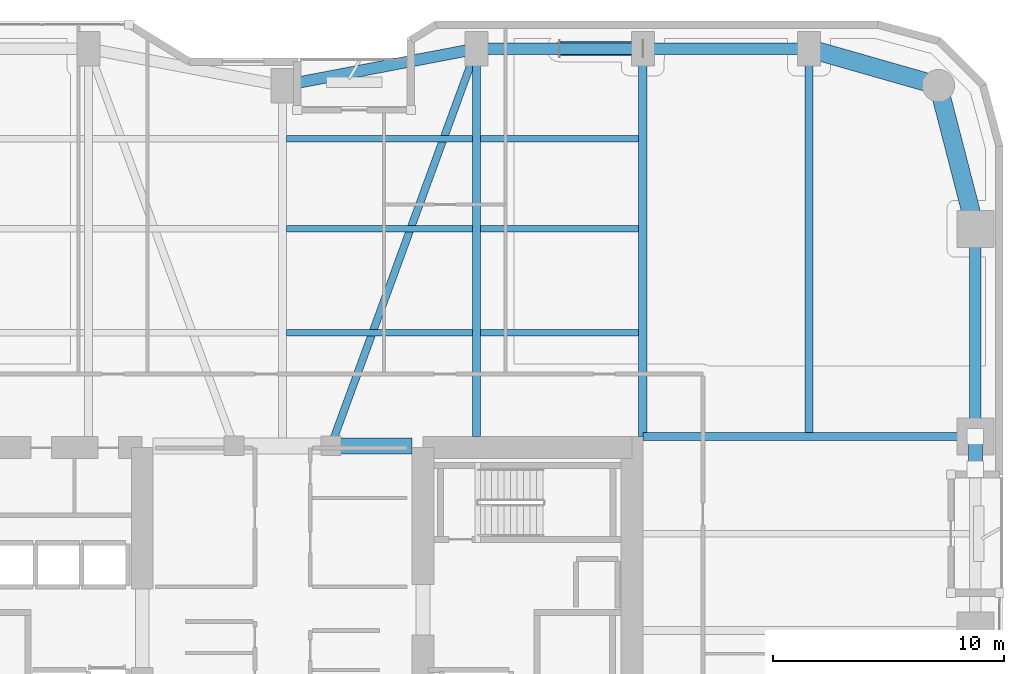
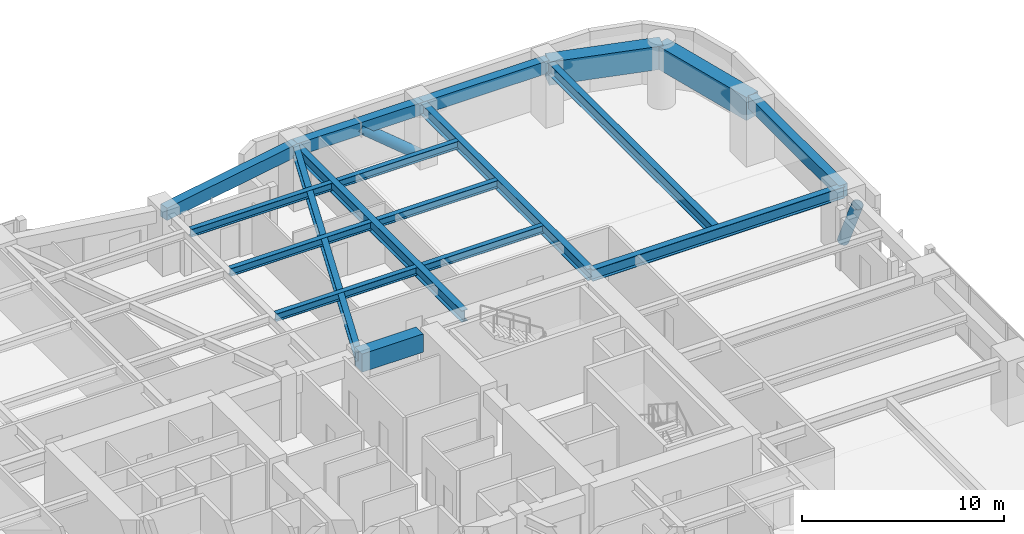
# One storey, part 18 of 29: 18 beams, 2 members.
"""IFC4 building model written with IfcOpenShell, lengths in metres."""

import ifcopenshell
import ifcopenshell.guid

model = None  # the IFC model being written
_history = None  # IfcOwnerHistory: only IFC2X3 demands one
_inside = {}  # id of a spatial element -> (the spatial element, [elements in it])
_under = {}  # id of a project, library or spatial element -> (it, [spatial elements below it])
_declared = {}  # id of a project -> (the project, [libraries it declares])
_typed = {}  # id of a type object -> (the type object, [elements of that type])
_made_of = {}  # id of a material, layer set ... -> (it, [elements and type objects made of it])


def new_model(schema):
    """Start an empty IFC model of exactly this schema.

    Asked for "IFC4X3", IfcOpenShell would pick the latest addendum, in which some entities
    have other attributes; the version numbers below select the first issue.
    IFC2X3 requires an IfcOwnerHistory on every rooted entity: one is made here for all.
    """
    global model, _history
    if schema == "IFC4X3":
        model = ifcopenshell.file(schema_version=(4, 3, 0, 0))
    else:
        model = ifcopenshell.file(schema=schema)
    _inside.clear()
    _under.clear()
    _declared.clear()
    _typed.clear()
    _made_of.clear()
    _history = None
    if model.schema == "IFC2X3":
        org = make("IfcOrganization", Name="unknown")
        user = make(
            "IfcPersonAndOrganization",
            ThePerson=make("IfcPerson", FamilyName="unknown"),
            TheOrganization=org,
        )
        app = make(
            "IfcApplication",
            ApplicationDeveloper=org,
            Version="unknown",
            ApplicationFullName="unknown",
            ApplicationIdentifier="unknown",
        )
        _history = make(
            "IfcOwnerHistory",
            OwningUser=user,
            OwningApplication=app,
            ChangeAction="ADDED",
            CreationDate=0,
        )
    return model


def make(cls, **values):
    """One entity of the class cls with the attributes given. An attribute that is None is left unset."""
    return model.create_entity(
        cls, **{name: value for name, value in values.items() if value is not None}
    )


def rooted(cls, **values):
    """An entity with a GlobalId (a new one), such as an element, a storey or a relation."""
    return make(cls, GlobalId=ifcopenshell.guid.new(), OwnerHistory=_history, **values)


def si_unit(unit_type, name, prefix=None):
    """IfcSIUnit, for example si_unit("LENGTHUNIT", "METRE", prefix="MILLI")."""
    return make("IfcSIUnit", UnitType=unit_type, Prefix=prefix, Name=name)


def assignment(units):
    """IfcUnitAssignment: the units of a project."""
    return None if units is None else make("IfcUnitAssignment", Units=units)


def point(xyz):
    """IfcCartesianPoint."""
    return None if xyz is None else make("IfcCartesianPoint", Coordinates=xyz)


def direction(xyz):
    """IfcDirection."""
    return None if xyz is None else make("IfcDirection", DirectionRatios=xyz)


def frame(location, z_axis=None, x_axis=None):
    """IfcAxis2Placement3D, a coordinate frame: its origin and axes. An axis left out is left unset."""
    return make(
        "IfcAxis2Placement3D",
        Location=point(location),
        Axis=direction(z_axis),
        RefDirection=direction(x_axis),
    )


def frame_2d(location, x_axis=None):
    """IfcAxis2Placement2D, a coordinate frame in the plane: its origin and x axis."""
    return make(
        "IfcAxis2Placement2D", Location=point(location), RefDirection=direction(x_axis)
    )


def origin():
    """The frame at (0, 0, 0) with its axes left unset."""
    return frame((0.0, 0.0, 0.0))


def origin_2d():
    """The frame at (0, 0) in the plane with its x axis left unset."""
    return frame_2d((0.0, 0.0))


def place(relative_to, where):
    """IfcLocalPlacement: puts the frame where relative to a parent placement (None: the world)."""
    return make(
        "IfcLocalPlacement", PlacementRelTo=relative_to, RelativePlacement=where
    )


def context(
    kind, dimensions, precision=None, world=None, true_north=None, identifier=None
):
    """IfcGeometricRepresentationContext, for example the 3D "Model" context."""
    return make(
        "IfcGeometricRepresentationContext",
        ContextIdentifier=identifier,
        ContextType=kind,
        CoordinateSpaceDimension=dimensions,
        Precision=precision,
        WorldCoordinateSystem=world,
        TrueNorth=true_north,
    )


def subcontext(parent, identifier, kind, view, scale=None):
    """IfcGeometricRepresentationSubContext, for example "Body" below "Model"."""
    return make(
        "IfcGeometricRepresentationSubContext",
        ContextIdentifier=identifier,
        ContextType=kind,
        ParentContext=parent,
        TargetScale=scale,
        TargetView=view,
    )


def project(units=None, contexts=None):
    """IfcProject with its units and contexts."""
    return rooted(
        "IfcProject",
        Name="project",
        RepresentationContexts=contexts,
        UnitsInContext=assignment(units),
    )


def spatial(cls, under=None, at=None, **own):
    """A site, building, storey or space (cls), placed at a placement, below another one or the project."""
    s = rooted(cls, ObjectPlacement=at, **own)
    if under is not None:
        _under.setdefault(under.id(), (under, []))[1].append(s)
    return s


def profile(cls, at=None, kind="AREA", **sizes):
    """A parametric profile (cls). Its sizes go by their IFC names, for example OverallWidth=200.0."""
    return make(cls, ProfileType=kind, Position=at, **sizes)


def rectangle(**sizes):
    """IfcRectangleProfileDef."""
    return profile("IfcRectangleProfileDef", **sizes)


def hollow_circle(**sizes):
    """IfcCircleHollowProfileDef."""
    return profile("IfcCircleHollowProfileDef", **sizes)


def i_section(**sizes):
    """IfcIShapeProfileDef."""
    return profile("IfcIShapeProfileDef", **sizes)


def extrude(swept, where, along, depth):
    """IfcExtrudedAreaSolid: the profile swept, set in the frame where, extruded along a direction by depth."""
    return make(
        "IfcExtrudedAreaSolid",
        SweptArea=swept,
        Position=where,
        ExtrudedDirection=direction(along),
        Depth=depth,
    )


def shape(context_of_items, identifier, shape_type, items):
    """IfcShapeRepresentation: the items that make up one representation, for example the "Body"."""
    return make(
        "IfcShapeRepresentation",
        ContextOfItems=context_of_items,
        RepresentationIdentifier=identifier,
        RepresentationType=shape_type,
        Items=items,
    )


def material(Name=None, Category=None):
    """IfcMaterial."""
    return make("IfcMaterial", Name=Name, Category=Category)


def material_profile(
    of_material, cross_section, Name=None, Category=None, Priority=None
):
    """IfcMaterialProfile: a cross section and its material."""
    return make(
        "IfcMaterialProfile",
        Name=Name,
        Material=of_material,
        Profile=cross_section,
        Priority=Priority,
        Category=Category,
    )


def profile_set(profiles, Name=None, composite=None):
    """IfcMaterialProfileSet."""
    return make(
        "IfcMaterialProfileSet",
        Name=Name,
        MaterialProfiles=profiles,
        CompositeProfile=composite,
    )


def made_of(thing, what):
    """Note that an element or type object is made of a material, layer set ...; save() writes the relation."""
    if what is not None:
        _made_of.setdefault(what.id(), (what, []))[1].append(thing)
    return thing


def type_object(cls, material=None, **own):
    """A type object (cls), such as IfcWallType, which elements share."""
    return made_of(rooted(cls, **own), material)


def element(
    cls,
    number,
    at=None,
    inside=None,
    cuts=None,
    type_object=None,
    material=None,
    context=None,
    identifier="Body",
    shape_type=None,
    held_by="IfcProductDefinitionShape",
    body=None,
    shapes=None,
    **own,
):
    """One element of the class cls, such as IfcWall. Its Tag is "e" and its number.

    at: its placement. inside: the storey or other place that contains it. cuts: it is an
    opening in that element (IfcRelVoidsElement). A single representation is given by context,
    identifier, shape_type and body (its items); several are given by shapes. held_by: the class
    of the entity that holds the representations. save() writes the other relations.
    """
    e = rooted(cls, Tag="e%d" % number, ObjectPlacement=at, **own)
    if body is not None:
        shapes = [shape(context, identifier, shape_type, body)]
    if shapes is not None:
        e.Representation = make(held_by, Representations=shapes)
    if inside is not None:
        _inside.setdefault(inside.id(), (inside, []))[1].append(e)
    if cuts is not None:
        rooted(
            "IfcRelVoidsElement", RelatingBuildingElement=cuts, RelatedOpeningElement=e
        )
    if type_object is not None:
        _typed.setdefault(type_object.id(), (type_object, []))[1].append(e)
    return made_of(e, material)


def aggregate(whole, parts):
    """IfcRelAggregates: a whole, such as a stair, and the parts it consists of."""
    return rooted("IfcRelAggregates", RelatingObject=whole, RelatedObjects=parts)


def save(model, path):
    """Write the relations noted so far, then the file.

    IfcRelAggregates (storeys below a building ...), IfcRelContainedInSpatialStructure (elements
    in a storey), IfcRelDefinesByType, IfcRelAssociatesMaterial and IfcRelDeclares: one each for
    every whole, place, type object, material and project.
    """
    for whole, parts in _under.values():
        aggregate(whole, parts)
    for where, things in _inside.values():
        rooted(
            "IfcRelContainedInSpatialStructure",
            RelatedElements=things,
            RelatingStructure=where,
        )
    for kind, things in _typed.values():
        rooted("IfcRelDefinesByType", RelatedObjects=things, RelatingType=kind)
    for what, things in _made_of.values():
        rooted("IfcRelAssociatesMaterial", RelatedObjects=things, RelatingMaterial=what)
    for by, libraries in _declared.values():
        rooted("IfcRelDeclares", RelatingContext=by, RelatedDefinitions=libraries)
    model.write(path)


model = new_model("IFC4")

# Units and contexts
model_context = context("Model", 3, precision=1e-05, world=origin(), true_north=direction((0.0, 1.0)))
body_context = subcontext(model_context, "Body", "Model", "MODEL_VIEW")
ifc_project = project(units=[si_unit("LENGTHUNIT", "METRE"), si_unit("AREAUNIT", "SQUARE_METRE"), si_unit("VOLUMEUNIT", "CUBIC_METRE"), si_unit("PLANEANGLEUNIT", "RADIAN"), si_unit("MASSUNIT", "GRAM", prefix="KILO")], contexts=[model_context])

# Site, building, storey
site_placement = place(None, origin())
site = spatial("IfcSite", under=ifc_project, at=site_placement, CompositionType="ELEMENT")
building_placement = place(site_placement, origin())
building = spatial("IfcBuilding", under=site, at=building_placement, Name="Kiyonajd Concourse Tower", CompositionType="ELEMENT")
storey_placement = place(building_placement, frame((0.0, 0.0, 48.89990234375)))
storey = spatial("IfcBuildingStorey", under=building, at=storey_placement, Name="L13", CompositionType="ELEMENT", Elevation=48.89990234375)

# Beams
ifc_material_1 = material(Name="Concrete C70/85", Category="concrete")
ifc_material_profile_1 = material_profile(ifc_material_1, rectangle(XDim=0.699951171875, YDim=1.10009765625, at=origin_2d()), Name="RCBM-700x1100")
ifc_profile_set_1 = profile_set([ifc_material_profile_1], Name="Concrete C70/85")
beam_type_1 = type_object("IfcBeamType", Name="BM-COUP-1100", PredefinedType="LINTEL", material=ifc_profile_set_1)
beam_1_placement = place(storey_placement, frame((50.10009765625, 44.0, 3.090087890625), z_axis=(1.0, 0.0, 0.0), x_axis=(0.0, 1.0, 0.0)))
element("IfcBeam", 1, at=beam_1_placement, inside=storey, type_object=beam_type_1, Name="L13 Core Coupling Beam N3", PredefinedType="LINTEL", context=body_context, shape_type="SweptSolid", body=[
    extrude(rectangle(XDim=0.699951171875, YDim=1.10009765625, at=origin_2d()), origin(), (0.0, 0.0, 1.0), 3.5),
])
ifc_material_2 = material(Name="Steel ASTM A992 Grade 50", Category="steel")
ifc_material_profile_2 = material_profile(ifc_material_2, i_section(OverallWidth=0.280029296875, OverallDepth=0.462890625, WebThickness=0.0107421875, FlangeThickness=0.017333984375, at=origin_2d()), Name="W460X113")
ifc_profile_set_2 = profile_set([ifc_material_profile_2], Name="Steel ASTM A992 Grade 50")
beam_type_2 = type_object("IfcBeamType", Name="BM-JST-460A", PredefinedType="JOIST", material=ifc_profile_set_2)
beam_2_placement = place(storey_placement, frame((48.177490234375, 48.89990234375, 3.40869140625), z_axis=(1.0, 0.0, 0.0), x_axis=(0.0, 1.0, 0.0)))
element("IfcBeam", 2, at=beam_2_placement, inside=storey, type_object=beam_type_2, Name="L13 Secondary Floor Joist", PredefinedType="JOIST", context=body_context, shape_type="SweptSolid", body=[
    extrude(i_section(OverallWidth=0.280029296875, OverallDepth=0.462890625, WebThickness=0.0107421875, FlangeThickness=0.017333984375, at=origin_2d()), origin(), (0.0, 0.0, 1.0), 8.044921875),
])
beam_3_placement = place(storey_placement, frame((56.577392578125, 48.89990234375, 3.40869140625), z_axis=(1.0, 0.0, 0.0), x_axis=(0.0, 1.0, 0.0)))
element("IfcBeam", 3, at=beam_3_placement, inside=storey, type_object=beam_type_2, Name="L13 Secondary Floor Joist", PredefinedType="JOIST", context=body_context, shape_type="SweptSolid", body=[
    extrude(i_section(OverallWidth=0.280029296875, OverallDepth=0.462890625, WebThickness=0.0107421875, FlangeThickness=0.017333984375, at=origin_2d()), origin(), (0.0, 0.0, 1.0), 6.84521484375),
])
beam_4_placement = place(storey_placement, frame((48.177490234375, 53.39990234375, 3.40869140625), z_axis=(1.0, 0.0, 0.0), x_axis=(0.0, 1.0, 0.0)))
element("IfcBeam", 4, at=beam_4_placement, inside=storey, type_object=beam_type_2, Name="L13 Secondary Floor Joist", PredefinedType="JOIST", context=body_context, shape_type="SweptSolid", body=[
    extrude(i_section(OverallWidth=0.280029296875, OverallDepth=0.462890625, WebThickness=0.0107421875, FlangeThickness=0.017333984375, at=origin_2d()), origin(), (0.0, 0.0, 1.0), 8.044921875),
])
beam_5_placement = place(storey_placement, frame((56.577392578125, 53.39990234375, 3.40869140625), z_axis=(1.0, 0.0, 0.0), x_axis=(0.0, 1.0, 0.0)))
element("IfcBeam", 5, at=beam_5_placement, inside=storey, type_object=beam_type_2, Name="L13 Secondary Floor Joist", PredefinedType="JOIST", context=body_context, shape_type="SweptSolid", body=[
    extrude(i_section(OverallWidth=0.280029296875, OverallDepth=0.462890625, WebThickness=0.0107421875, FlangeThickness=0.017333984375, at=origin_2d()), origin(), (0.0, 0.0, 1.0), 6.84521484375),
])
beam_6_placement = place(storey_placement, frame((48.177490234375, 57.300048828125, 3.40869140625), z_axis=(1.0, 0.0, 0.0), x_axis=(0.0, 1.0, 0.0)))
element("IfcBeam", 6, at=beam_6_placement, inside=storey, type_object=beam_type_2, Name="L13 Secondary Floor Joist", PredefinedType="JOIST", context=body_context, shape_type="SweptSolid", body=[
    extrude(i_section(OverallWidth=0.280029296875, OverallDepth=0.462890625, WebThickness=0.0107421875, FlangeThickness=0.017333984375, at=origin_2d()), origin(), (0.0, 0.0, 1.0), 8.044921875),
])
beam_7_placement = place(storey_placement, frame((56.577392578125, 57.300048828125, 3.40869140625), z_axis=(1.0, 0.0, 0.0), x_axis=(0.0, 1.0, 0.0)))
element("IfcBeam", 7, at=beam_7_placement, inside=storey, type_object=beam_type_2, Name="L13 Secondary Floor Joist", PredefinedType="JOIST", context=body_context, shape_type="SweptSolid", body=[
    extrude(i_section(OverallWidth=0.280029296875, OverallDepth=0.462890625, WebThickness=0.0107421875, FlangeThickness=0.017333984375, at=origin_2d()), origin(), (0.0, 0.0, 1.0), 6.84521484375),
])
ifc_material_3 = material(Name="Precast concrete C50/60", Category="concrete")
ifc_material_profile_3 = material_profile(ifc_material_3, rectangle(XDim=0.5, YDim=0.75, at=origin_2d()), Name="RCBM-500x750")
ifc_profile_set_3 = profile_set([ifc_material_profile_3], Name="Precast concrete C50/60")
beam_type_3 = type_object("IfcBeamType", Name="BM-SPAN-RC", PredefinedType="SPANDREL", material=ifc_profile_set_3)
beam_8_placement = place(storey_placement, frame((78.0, 44.39990234375, 3.26513671875), z_axis=(0.0, 1.0, 0.0), x_axis=(-1.0, 0.0, 0.0)))
element("IfcBeam", 8, at=beam_8_placement, inside=storey, type_object=beam_type_3, Name="L13 Perimeter Bundled Tube Spandrel", PredefinedType="SPANDREL", context=body_context, shape_type="SweptSolid", body=[
    extrude(rectangle(XDim=0.5, YDim=0.75, at=origin_2d()), origin(), (0.0, 0.0, 1.0), 9.0),
])
beam_9_placement = place(storey_placement, frame((70.800048828125, 61.199951171875, 3.26513671875), z_axis=(-1.0, 0.0, 0.0), x_axis=(0.0, -1.0, 0.0)))
element("IfcBeam", 9, at=beam_9_placement, inside=storey, type_object=beam_type_3, Name="L13 Perimeter Bundled Tube Spandrel", PredefinedType="SPANDREL", context=body_context, shape_type="SweptSolid", body=[
    extrude(rectangle(XDim=0.5, YDim=0.75, at=origin_2d()), origin(), (0.0, 0.0, 1.0), 7.199951171875),
])
beam_10_placement = place(storey_placement, frame((63.60009765625, 61.199951171875, 3.26513671875), z_axis=(-1.0, 0.0, 0.0), x_axis=(0.0, -1.0, 0.0)))
element("IfcBeam", 10, at=beam_10_placement, inside=storey, type_object=beam_type_3, Name="L13 Perimeter Bundled Tube Spandrel", PredefinedType="SPANDREL", context=body_context, shape_type="SweptSolid", body=[
    extrude(rectangle(XDim=0.5, YDim=0.75, at=origin_2d()), origin(), (0.0, 0.0, 1.0), 7.2001953125),
])
beam_11_placement = place(storey_placement, frame((56.39990234375, 61.199951171875, 3.26513671875), z_axis=(-0.982341315253, -0.187097675953, 0.0), x_axis=(0.187097675953, -0.982341315253, 0.0)))
element("IfcBeam", 11, at=beam_11_placement, inside=storey, type_object=beam_type_3, Name="L13 Perimeter Bundled Tube Spandrel", PredefinedType="SPANDREL", context=body_context, shape_type="SweptSolid", body=[
    extrude(rectangle(XDim=0.5, YDim=0.75, at=origin_2d()), origin(), (0.0, 0.0, 1.0), 8.55078125),
])
ifc_material_profile_4 = material_profile(ifc_material_2, i_section(OverallWidth=0.326904296875, OverallDepth=0.6220703125, WebThickness=0.015380859375, FlangeThickness=0.0244140625, at=origin_2d()), Name="W610X195")
ifc_profile_set_4 = profile_set([ifc_material_profile_4], Name="Steel ASTM A992 Grade 50")
beam_type_4 = type_object("IfcBeamType", Name="BM-TWR-610A", PredefinedType="BEAM", material=ifc_profile_set_4)
beam_12_placement = place(storey_placement, frame((50.10009765625, 44.0, 3.3291015625), z_axis=(0.343925269715, 0.938997022813, 0.0), x_axis=(-0.938997022813, 0.343925269715, 0.0)))
element("IfcBeam", 12, at=beam_12_placement, inside=storey, type_object=beam_type_4, Name="L13 Core Tie Girder", PredefinedType="BEAM", context=body_context, shape_type="SweptSolid", body=[
    extrude(i_section(OverallWidth=0.326904296875, OverallDepth=0.6220703125, WebThickness=0.015380859375, FlangeThickness=0.0244140625, at=origin_2d()), origin(), (0.0, 0.0, 1.0), 18.3173828125),
])
ifc_material_profile_5 = material_profile(ifc_material_2, i_section(OverallWidth=0.35498046875, OverallDepth=0.695068359375, WebThickness=0.015380859375, FlangeThickness=0.02490234375, at=origin_2d()), Name="W690X217")
ifc_profile_set_5 = profile_set([ifc_material_profile_5], Name="Steel ASTM A992 Grade 50")
beam_type_5 = type_object("IfcBeamType", Name="BM-TWR-690", PredefinedType="BEAM", material=ifc_profile_set_5)
for number, where, z_axis, x_axis, name in (
    (13, (56.39990234375, 44.39990234375, 3.29248046875), (0.0, 1.0, 0.0), (-1.0, 0.0, 0.0), "L13 North Lease Girder"),
    (14, (63.60009765625, 44.39990234375, 3.29248046875), (0.0, 1.0, 0.0), (-1.0, 0.0, 0.0), "L13 North Lease Girder"),
    (15, (70.800048828125, 44.39990234375, 3.29248046875), (0.0, 1.0, 0.0), (-1.0, 0.0, 0.0), "L13 North Lease Girder"),
):
    element("IfcBeam", number, at=place(storey_placement, frame(where, z_axis=z_axis, x_axis=x_axis)), inside=storey, type_object=beam_type_5, Name=name, PredefinedType="BEAM", context=body_context, shape_type="SweptSolid", body=[
        extrude(i_section(OverallWidth=0.35498046875, OverallDepth=0.695068359375, WebThickness=0.015380859375, FlangeThickness=0.02490234375, at=origin_2d()), origin(), (0.0, 0.0, 1.0), 16.800048828125),
    ])
beam_13_placement = place(storey_placement, frame((63.60009765625, 44.39990234375, 3.29248046875), z_axis=(1.0, 0.0, 0.0), x_axis=(0.0, 1.0, 0.0)))
element("IfcBeam", 16, at=beam_13_placement, inside=storey, type_object=beam_type_5, Name="L13 East Lease Girder", PredefinedType="BEAM", context=body_context, shape_type="SweptSolid", body=[
    extrude(i_section(OverallWidth=0.35498046875, OverallDepth=0.695068359375, WebThickness=0.015380859375, FlangeThickness=0.02490234375, at=origin_2d()), origin(), (0.0, 0.0, 1.0), 14.39990234375),
])
ifc_material_4 = material(Name="Concrete C60/75", Category="concrete")
ifc_material_profile_6 = material_profile(ifc_material_4, rectangle(XDim=0.800048828125, YDim=1.39990234375, at=origin_2d()), Name="RCBM-800x1400")
ifc_profile_set_6 = profile_set([ifc_material_profile_6], Name="Concrete C60/75")
beam_type_6 = type_object("IfcBeamType", Name="BM-XFER-RC", PredefinedType="BEAM", material=ifc_profile_set_6)
beam_14_placement = place(storey_placement, frame((78.0, 53.39990234375, 2.940185546875), z_axis=(-0.249884937687, 0.968275538221, 0.0), x_axis=(-0.968275538221, -0.249884937687, 0.0)))
element("IfcBeam", 17, at=beam_14_placement, inside=storey, type_object=beam_type_6, Name="L13 Perimeter Bundled Tube Spandrel", PredefinedType="BEAM", context=body_context, shape_type="SweptSolid", body=[
    extrude(rectangle(XDim=0.800048828125, YDim=1.39990234375, at=origin_2d()), origin(), (0.0, 0.0, 1.0), 6.4033203125),
])
beam_15_placement = place(storey_placement, frame((76.39990234375, 59.60009765625, 2.940185546875), z_axis=(-0.961528693205, 0.274704517878, 0.0), x_axis=(-0.274704517878, -0.961528693205, 0.0)))
element("IfcBeam", 18, at=beam_15_placement, inside=storey, type_object=beam_type_6, Name="L13 Perimeter Bundled Tube Spandrel", PredefinedType="BEAM", context=body_context, shape_type="SweptSolid", body=[
    extrude(rectangle(XDim=0.800048828125, YDim=1.39990234375, at=origin_2d()), origin(), (0.0, 0.0, 1.0), 5.823974609375),
])

# Members
ifc_material_5 = material(Name="Steel ASTM A572 Grade 50", Category="steel")
ifc_material_profile_7 = material_profile(ifc_material_5, hollow_circle(Radius=0.304931640625, WallThickness=0.02490234375, at=origin_2d()), Name="CHS-610x25")
ifc_profile_set_7 = profile_set([ifc_material_profile_7], Name="Steel ASTM A572 Grade 50")
member_type = type_object("IfcMemberType", Name="MB-PB-LOW", PredefinedType="BRACE", material=ifc_profile_set_7)
member_1_placement = place(storey_placement, frame((63.60009765625, 61.199951171875, 0.300048828125), z_axis=(-0.769280705518, 0.0, 0.638910945373), x_axis=(0.0, -1.0, 0.0)))
element("IfcMember", 19, at=member_1_placement, inside=storey, type_object=member_type, Name="L13 Lower Zone Welded Tube Brace PBN", PredefinedType="BRACE", context=body_context, shape_type="SweptSolid", body=[
    extrude(hollow_circle(Radius=0.304931640625, WallThickness=0.02490234375, at=origin_2d()), origin(), (0.0, 0.0, 1.0), 4.679931640625),
])
member_2_placement = place(storey_placement, frame((78.0, 44.39990234375, 0.300048828125), z_axis=(0.0, -0.424022702926, 0.905651559598), x_axis=(1.0, 0.0, 0.0)))
element("IfcMember", 20, at=member_2_placement, inside=storey, type_object=member_type, Name="L13 Lower Zone Welded Tube Brace PBE", PredefinedType="BRACE", context=body_context, shape_type="SweptSolid", body=[
    extrude(hollow_circle(Radius=0.304931640625, WallThickness=0.02490234375, at=origin_2d()), origin(), (0.0, 0.0, 1.0), 3.301513671875),
])

save(model, "model.ifc")
